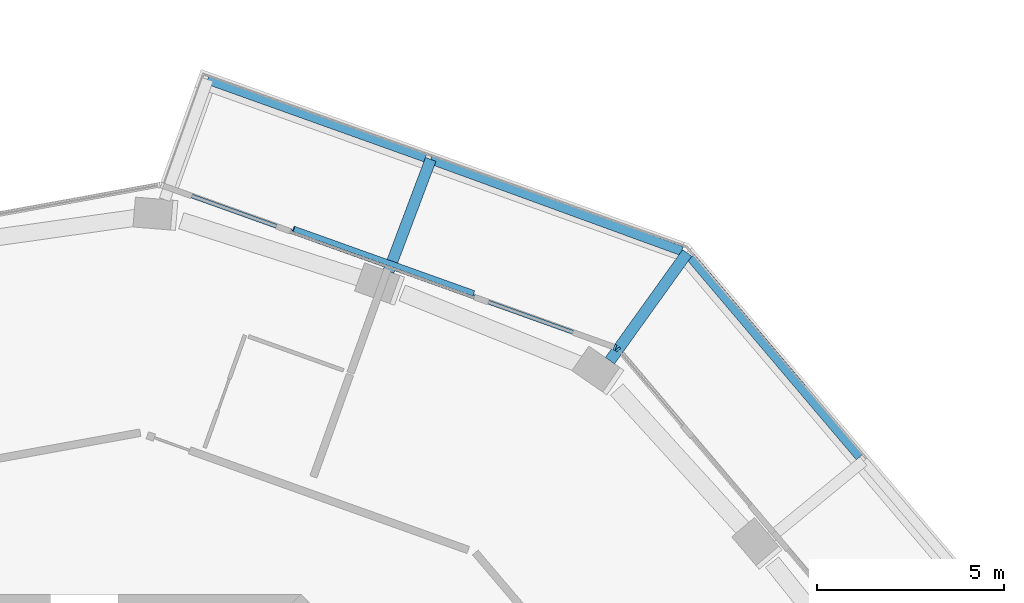
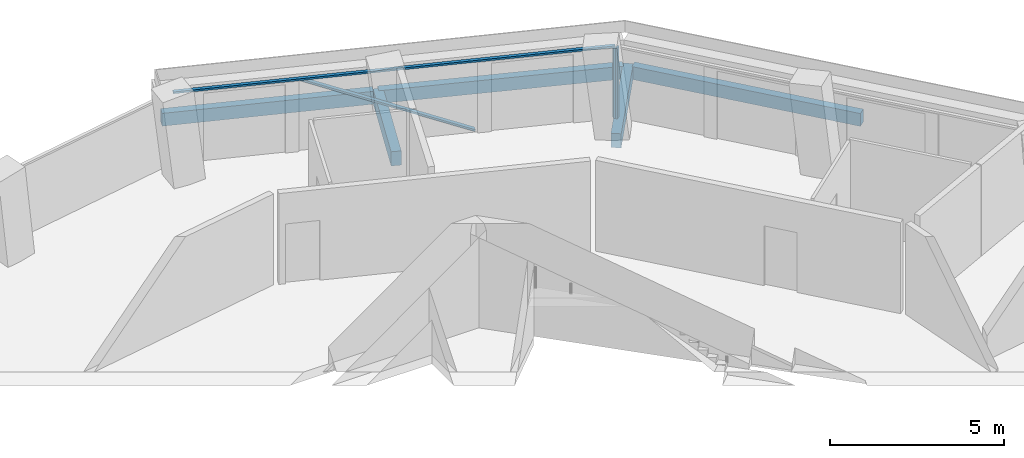
# One storey, part 8 of 21: 5 beams, 4 members, 2 elements without a shape of their own.
"""IFC4 building model written with IfcOpenShell, lengths in metres."""

import ifcopenshell
import ifcopenshell.guid

model = None  # the IFC model being written
_history = None  # IfcOwnerHistory: only IFC2X3 demands one
_inside = {}  # id of a spatial element -> (the spatial element, [elements in it])
_under = {}  # id of a project, library or spatial element -> (it, [spatial elements below it])
_declared = {}  # id of a project -> (the project, [libraries it declares])
_typed = {}  # id of a type object -> (the type object, [elements of that type])
_made_of = {}  # id of a material, layer set ... -> (it, [elements and type objects made of it])


def new_model(schema):
    """Start an empty IFC model of exactly this schema.

    Asked for "IFC4X3", IfcOpenShell would pick the latest addendum, in which some entities
    have other attributes; the version numbers below select the first issue.
    IFC2X3 requires an IfcOwnerHistory on every rooted entity: one is made here for all.
    """
    global model, _history
    if schema == "IFC4X3":
        model = ifcopenshell.file(schema_version=(4, 3, 0, 0))
    else:
        model = ifcopenshell.file(schema=schema)
    _inside.clear()
    _under.clear()
    _declared.clear()
    _typed.clear()
    _made_of.clear()
    _history = None
    if model.schema == "IFC2X3":
        org = make("IfcOrganization", Name="unknown")
        user = make(
            "IfcPersonAndOrganization",
            ThePerson=make("IfcPerson", FamilyName="unknown"),
            TheOrganization=org,
        )
        app = make(
            "IfcApplication",
            ApplicationDeveloper=org,
            Version="unknown",
            ApplicationFullName="unknown",
            ApplicationIdentifier="unknown",
        )
        _history = make(
            "IfcOwnerHistory",
            OwningUser=user,
            OwningApplication=app,
            ChangeAction="ADDED",
            CreationDate=0,
        )
    return model


def make(cls, **values):
    """One entity of the class cls with the attributes given. An attribute that is None is left unset."""
    return model.create_entity(
        cls, **{name: value for name, value in values.items() if value is not None}
    )


def rooted(cls, **values):
    """An entity with a GlobalId (a new one), such as an element, a storey or a relation."""
    return make(cls, GlobalId=ifcopenshell.guid.new(), OwnerHistory=_history, **values)


def si_unit(unit_type, name, prefix=None):
    """IfcSIUnit, for example si_unit("LENGTHUNIT", "METRE", prefix="MILLI")."""
    return make("IfcSIUnit", UnitType=unit_type, Prefix=prefix, Name=name)


def assignment(units):
    """IfcUnitAssignment: the units of a project."""
    return None if units is None else make("IfcUnitAssignment", Units=units)


def point(xyz):
    """IfcCartesianPoint."""
    return None if xyz is None else make("IfcCartesianPoint", Coordinates=xyz)


def direction(xyz):
    """IfcDirection."""
    return None if xyz is None else make("IfcDirection", DirectionRatios=xyz)


def frame(location, z_axis=None, x_axis=None):
    """IfcAxis2Placement3D, a coordinate frame: its origin and axes. An axis left out is left unset."""
    return make(
        "IfcAxis2Placement3D",
        Location=point(location),
        Axis=direction(z_axis),
        RefDirection=direction(x_axis),
    )


def frame_2d(location, x_axis=None):
    """IfcAxis2Placement2D, a coordinate frame in the plane: its origin and x axis."""
    return make(
        "IfcAxis2Placement2D", Location=point(location), RefDirection=direction(x_axis)
    )


def origin():
    """The frame at (0, 0, 0) with its axes left unset."""
    return frame((0.0, 0.0, 0.0))


def origin_2d():
    """The frame at (0, 0) in the plane with its x axis left unset."""
    return frame_2d((0.0, 0.0))


def place(relative_to, where):
    """IfcLocalPlacement: puts the frame where relative to a parent placement (None: the world)."""
    return make(
        "IfcLocalPlacement", PlacementRelTo=relative_to, RelativePlacement=where
    )


def context(
    kind, dimensions, precision=None, world=None, true_north=None, identifier=None
):
    """IfcGeometricRepresentationContext, for example the 3D "Model" context."""
    return make(
        "IfcGeometricRepresentationContext",
        ContextIdentifier=identifier,
        ContextType=kind,
        CoordinateSpaceDimension=dimensions,
        Precision=precision,
        WorldCoordinateSystem=world,
        TrueNorth=true_north,
    )


def subcontext(parent, identifier, kind, view, scale=None):
    """IfcGeometricRepresentationSubContext, for example "Body" below "Model"."""
    return make(
        "IfcGeometricRepresentationSubContext",
        ContextIdentifier=identifier,
        ContextType=kind,
        ParentContext=parent,
        TargetScale=scale,
        TargetView=view,
    )


def project(units=None, contexts=None):
    """IfcProject with its units and contexts."""
    return rooted(
        "IfcProject",
        Name="project",
        RepresentationContexts=contexts,
        UnitsInContext=assignment(units),
    )


def spatial(cls, under=None, at=None, **own):
    """A site, building, storey or space (cls), placed at a placement, below another one or the project."""
    s = rooted(cls, ObjectPlacement=at, **own)
    if under is not None:
        _under.setdefault(under.id(), (under, []))[1].append(s)
    return s


def profile(cls, at=None, kind="AREA", **sizes):
    """A parametric profile (cls). Its sizes go by their IFC names, for example OverallWidth=200.0."""
    return make(cls, ProfileType=kind, Position=at, **sizes)


def rectangle(**sizes):
    """IfcRectangleProfileDef."""
    return profile("IfcRectangleProfileDef", **sizes)


def extrude(swept, where, along, depth):
    """IfcExtrudedAreaSolid: the profile swept, set in the frame where, extruded along a direction by depth."""
    return make(
        "IfcExtrudedAreaSolid",
        SweptArea=swept,
        Position=where,
        ExtrudedDirection=direction(along),
        Depth=depth,
    )


def shape(context_of_items, identifier, shape_type, items):
    """IfcShapeRepresentation: the items that make up one representation, for example the "Body"."""
    return make(
        "IfcShapeRepresentation",
        ContextOfItems=context_of_items,
        RepresentationIdentifier=identifier,
        RepresentationType=shape_type,
        Items=items,
    )


def material(Name=None, Category=None):
    """IfcMaterial."""
    return make("IfcMaterial", Name=Name, Category=Category)


def layer(
    of_material, thickness, ventilated=None, Name=None, Category=None, Priority=None
):
    """IfcMaterialLayer: one layer of a wall or slab, of a material (None: an air gap)."""
    return make(
        "IfcMaterialLayer",
        Material=of_material,
        LayerThickness=thickness,
        IsVentilated=ventilated,
        Name=Name,
        Category=Category,
        Priority=Priority,
    )


def layer_set(layers, Name=None):
    """IfcMaterialLayerSet."""
    return make("IfcMaterialLayerSet", MaterialLayers=layers, LayerSetName=Name)


def material_profile(
    of_material, cross_section, Name=None, Category=None, Priority=None
):
    """IfcMaterialProfile: a cross section and its material."""
    return make(
        "IfcMaterialProfile",
        Name=Name,
        Material=of_material,
        Profile=cross_section,
        Priority=Priority,
        Category=Category,
    )


def profile_set(profiles, Name=None, composite=None):
    """IfcMaterialProfileSet."""
    return make(
        "IfcMaterialProfileSet",
        Name=Name,
        MaterialProfiles=profiles,
        CompositeProfile=composite,
    )


def made_of(thing, what):
    """Note that an element or type object is made of a material, layer set ...; save() writes the relation."""
    if what is not None:
        _made_of.setdefault(what.id(), (what, []))[1].append(thing)
    return thing


def type_object(cls, material=None, **own):
    """A type object (cls), such as IfcWallType, which elements share."""
    return made_of(rooted(cls, **own), material)


def element(
    cls,
    number,
    at=None,
    inside=None,
    cuts=None,
    type_object=None,
    material=None,
    context=None,
    identifier="Body",
    shape_type=None,
    held_by="IfcProductDefinitionShape",
    body=None,
    shapes=None,
    **own,
):
    """One element of the class cls, such as IfcWall. Its Tag is "e" and its number.

    at: its placement. inside: the storey or other place that contains it. cuts: it is an
    opening in that element (IfcRelVoidsElement). A single representation is given by context,
    identifier, shape_type and body (its items); several are given by shapes. held_by: the class
    of the entity that holds the representations. save() writes the other relations.
    """
    e = rooted(cls, Tag="e%d" % number, ObjectPlacement=at, **own)
    if body is not None:
        shapes = [shape(context, identifier, shape_type, body)]
    if shapes is not None:
        e.Representation = make(held_by, Representations=shapes)
    if inside is not None:
        _inside.setdefault(inside.id(), (inside, []))[1].append(e)
    if cuts is not None:
        rooted(
            "IfcRelVoidsElement", RelatingBuildingElement=cuts, RelatedOpeningElement=e
        )
    if type_object is not None:
        _typed.setdefault(type_object.id(), (type_object, []))[1].append(e)
    return made_of(e, material)


def aggregate(whole, parts):
    """IfcRelAggregates: a whole, such as a stair, and the parts it consists of."""
    return rooted("IfcRelAggregates", RelatingObject=whole, RelatedObjects=parts)


def save(model, path):
    """Write the relations noted so far, then the file.

    IfcRelAggregates (storeys below a building ...), IfcRelContainedInSpatialStructure (elements
    in a storey), IfcRelDefinesByType, IfcRelAssociatesMaterial and IfcRelDeclares: one each for
    every whole, place, type object, material and project.
    """
    for whole, parts in _under.values():
        aggregate(whole, parts)
    for where, things in _inside.values():
        rooted(
            "IfcRelContainedInSpatialStructure",
            RelatedElements=things,
            RelatingStructure=where,
        )
    for kind, things in _typed.values():
        rooted("IfcRelDefinesByType", RelatedObjects=things, RelatingType=kind)
    for what, things in _made_of.values():
        rooted("IfcRelAssociatesMaterial", RelatedObjects=things, RelatingMaterial=what)
    for by, libraries in _declared.values():
        rooted("IfcRelDeclares", RelatingContext=by, RelatedDefinitions=libraries)
    model.write(path)


model = new_model("IFC4")

# Units and contexts
model_context = context("Model", 3, precision=1e-05, world=origin(), true_north=direction((0.0, 1.0)))
body_context = subcontext(model_context, "Body", "Model", "MODEL_VIEW")
ifc_project = project(units=[si_unit("LENGTHUNIT", "METRE"), si_unit("AREAUNIT", "SQUARE_METRE"), si_unit("VOLUMEUNIT", "CUBIC_METRE"), si_unit("PLANEANGLEUNIT", "RADIAN"), si_unit("MASSUNIT", "GRAM", prefix="KILO")], contexts=[model_context])

# Site, building, storey
site_placement = place(None, origin())
site = spatial("IfcSite", under=ifc_project, at=site_placement, CompositionType="ELEMENT")
building_placement = place(site_placement, origin())
building = spatial("IfcBuilding", under=site, at=building_placement, Name="Verdalira Terraces Hotel", CompositionType="ELEMENT")
storey_placement = place(building_placement, frame((0.0, 0.0, 197.5)))
storey = spatial("IfcBuildingStorey", under=building, at=storey_placement, Name="L48", CompositionType="ELEMENT", Elevation=197.5)

# Beams
ifc_material_1 = material(Name="Concrete C40", Category="concrete")
ifc_material_profile_1 = material_profile(ifc_material_1, rectangle(XDim=0.300049, YDim=0.5, at=origin_2d()), Name="RC 300X500")
ifc_profile_set_1 = profile_set([ifc_material_profile_1], Name="Concrete C40")
beam_type_1 = type_object("IfcBeamType", Name="Balcony cantilever beam RC 300X500 C40", PredefinedType="BEAM", material=ifc_profile_set_1)
beam_1_placement = place(storey_placement, frame((14.063232, 20.25, -0.560059), z_axis=(0.582716095, 0.812675798, 0.0), x_axis=(-0.812675798, 0.582716095, 0.0)))
element("IfcBeam", 1, at=beam_1_placement, inside=storey, type_object=beam_type_1, Name="Balcony cantilever beam R39-3", PredefinedType="BEAM", context=body_context, shape_type="SweptSolid", body=[
    extrude(rectangle(XDim=0.300049, YDim=0.5, at=origin_2d()), origin(), (0.0, 0.0, 1.0), 3.544922),
])
beam_2_placement = place(storey_placement, frame((8.141357, 22.638672, -0.560059), z_axis=(0.35246887, 0.935823539, 0.0), x_axis=(-0.935823539, 0.35246887, 0.0)))
element("IfcBeam", 2, at=beam_2_placement, inside=storey, type_object=beam_type_1, Name="Balcony cantilever beam R39-4", PredefinedType="BEAM", context=body_context, shape_type="SweptSolid", body=[
    extrude(rectangle(XDim=0.300049, YDim=0.5, at=origin_2d()), origin(), (0.0, 0.0, 1.0), 3.200684),
])
ifc_material_2 = material(Name="Concrete C40", Category="concrete")
ifc_material_profile_2 = material_profile(ifc_material_2, rectangle(XDim=0.25, YDim=0.449951, at=origin_2d()), Name="RC 250X450")
ifc_profile_set_2 = profile_set([ifc_material_profile_2], Name="Concrete C40")
beam_type_2 = type_object("IfcBeamType", Name="Balcony edge beam RC 250X450 C40", PredefinedType="BEAM", material=ifc_profile_set_2)
beam_3_placement = place(storey_placement, frame((20.747803, 17.679443, -0.534912), z_axis=(-0.646449345, 0.762956909, 0.0), x_axis=(-0.762956909, -0.646449345, 0.0)))
element("IfcBeam", 3, at=beam_3_placement, inside=storey, type_object=beam_type_2, Name="Balcony edge beam R39-2", PredefinedType="BEAM", context=body_context, shape_type="SweptSolid", body=[
    extrude(rectangle(XDim=0.25, YDim=0.449951, at=origin_2d()), origin(), (0.0, 0.0, 1.0), 6.990479),
])
beam_4_placement = place(storey_placement, frame((15.982422, 23.184326, -0.534912), z_axis=(-0.939403781, 0.342812683, 0.0), x_axis=(-0.342812683, -0.939403781, 0.0)))
element("IfcBeam", 4, at=beam_4_placement, inside=storey, type_object=beam_type_2, Name="Balcony edge beam R39-3", PredefinedType="BEAM", context=body_context, shape_type="SweptSolid", body=[
    extrude(rectangle(XDim=0.25, YDim=0.449951, at=origin_2d()), origin(), (0.0, 0.0, 1.0), 7.145996),
])
beam_5_placement = place(storey_placement, frame((9.128418, 25.68457, -0.534912), z_axis=(-0.941590973, 0.336758727, 0.0), x_axis=(-0.336758727, -0.941590973, 0.0)))
element("IfcBeam", 5, at=beam_5_placement, inside=storey, type_object=beam_type_2, Name="Balcony edge beam R39-4", PredefinedType="BEAM", context=body_context, shape_type="SweptSolid", body=[
    extrude(rectangle(XDim=0.25, YDim=0.449951, at=origin_2d()), origin(), (0.0, 0.0, 1.0), 6.188477),
])

# Curtain wall, member
ifc_material_3 = material(Name="Clear glass", Category="glass")
ifc_layer = layer(ifc_material_3, 0.14990234375)
ifc_layer_set = layer_set([ifc_layer], Name="CW1 curtain wall")
curtain_wall_type = type_object("IfcCurtainWallType", Name="CW1 curtain wall", PredefinedType="NOTDEFINED", material=ifc_layer_set)
curtain_wall_1_placement = place(storey_placement, origin())
curtain_wall_1 = element("IfcCurtainWall", 6, at=curtain_wall_1_placement, inside=storey, type_object=curtain_wall_type, Name="CW1 curtain wall L48 edge 39", PredefinedType="NOTDEFINED")
ifc_material_4 = material(Name="Terracotta frame", Category="masonry")
ifc_material_profile_3 = material_profile(ifc_material_4, rectangle(XDim=0.060059, YDim=0.149902, at=origin_2d()), Name="MU 60x150")
ifc_profile_set_3 = profile_set([ifc_material_profile_3], Name="Terracotta frame")
member_type_1 = type_object("IfcMemberType", Name="CW1 mullion 60x150", PredefinedType="MULLION", material=ifc_profile_set_3)
member_1_placement = place(storey_placement, frame((14.277832, 20.550293, 0.0), z_axis=(0.0, 0.0, 1.0), x_axis=(-0.647055962, 0.762442511, 0.0)))
member_1 = element("IfcMember", 7, at=member_1_placement, type_object=member_type_1, Name="CW1 mullion", PredefinedType="MULLION", context=body_context, shape_type="SweptSolid", body=[
    extrude(rectangle(XDim=0.060059, YDim=0.149902, at=origin_2d()), origin(), (0.0, 0.0, 1.0), 2.475098),
])
aggregate(curtain_wall_1, [member_1])

# Curtain wall, members
curtain_wall_2_placement = place(storey_placement, origin())
curtain_wall_2 = element("IfcCurtainWall", 8, at=curtain_wall_2_placement, inside=storey, type_object=curtain_wall_type, Name="CW1 curtain wall L48 edge 40", PredefinedType="NOTDEFINED")
member_2_placement = place(storey_placement, frame((14.198486, 20.605469, 0.0), z_axis=(0.0, 0.0, 1.0), x_axis=(-0.941588156, 0.336766603, 0.0)))
member_2 = element("IfcMember", 9, at=member_2_placement, type_object=member_type_1, Name="CW1 mullion", PredefinedType="MULLION", context=body_context, shape_type="SweptSolid", body=[
    extrude(rectangle(XDim=0.060059, YDim=0.149902, at=origin_2d()), origin(), (0.0, 0.0, 1.0), 2.475098),
])
ifc_material_5 = material(Name="Terracotta frame", Category="masonry")
ifc_material_profile_4 = material_profile(ifc_material_5, rectangle(XDim=0.110107, YDim=0.064941, at=origin_2d()), Name="TR 65x110")
ifc_profile_set_4 = profile_set([ifc_material_profile_4], Name="Terracotta frame")
member_type_2 = type_object("IfcMemberType", Name="CW1 transom 65x110", PredefinedType="USERDEFINED", material=ifc_profile_set_4)
member_3_placement = place(storey_placement, frame((14.226562, 20.595215, 2.507568), z_axis=(-0.941582335, 0.336782876, 0.0), x_axis=(-0.336782876, -0.941582335, 0.0)))
member_3 = element("IfcMember", 10, at=member_3_placement, type_object=member_type_2, Name="CW1 transom", ObjectType="TRANSOM", PredefinedType="USERDEFINED", context=body_context, shape_type="SweptSolid", body=[
    extrude(rectangle(XDim=0.110107, YDim=0.064941, at=origin_2d()), origin(), (0.0, 0.0, 1.0), 12.919434),
])
ifc_material_6 = material(Name="Terracotta frame", Category="masonry")
ifc_material_profile_5 = material_profile(ifc_material_6, rectangle(XDim=0.149902, YDim=0.060059, at=origin_2d()), Name="GB 60x150")
ifc_profile_set_5 = profile_set([ifc_material_profile_5], Name="Terracotta frame")
member_type_3 = type_object("IfcMemberType", Name="Diagonal glazing bar 60x150", PredefinedType="USERDEFINED", material=ifc_profile_set_5)
member_4_placement = place(storey_placement, frame((10.408936, 22.055176, 0.028076), z_axis=(-0.850912442, 0.30435104, 0.42815705), x_axis=(-0.33678165, -0.941582774, 0.0)))
member_4 = element("IfcMember", 11, at=member_4_placement, type_object=member_type_3, Name="Diagonal glazing bar", ObjectType="GLAZING BAR", PredefinedType="USERDEFINED", context=body_context, shape_type="SweptSolid", body=[
    extrude(rectangle(XDim=0.149902, YDim=0.060059, at=origin_2d()), origin(), (0.0, 0.0, 1.0), 5.649658),
])
aggregate(curtain_wall_2, [member_2, member_3, member_4])

save(model, "model.ifc")
